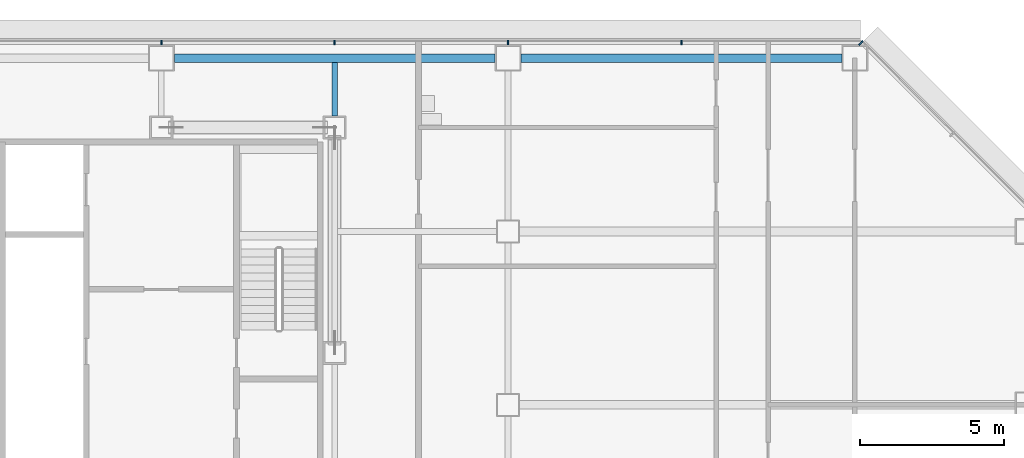
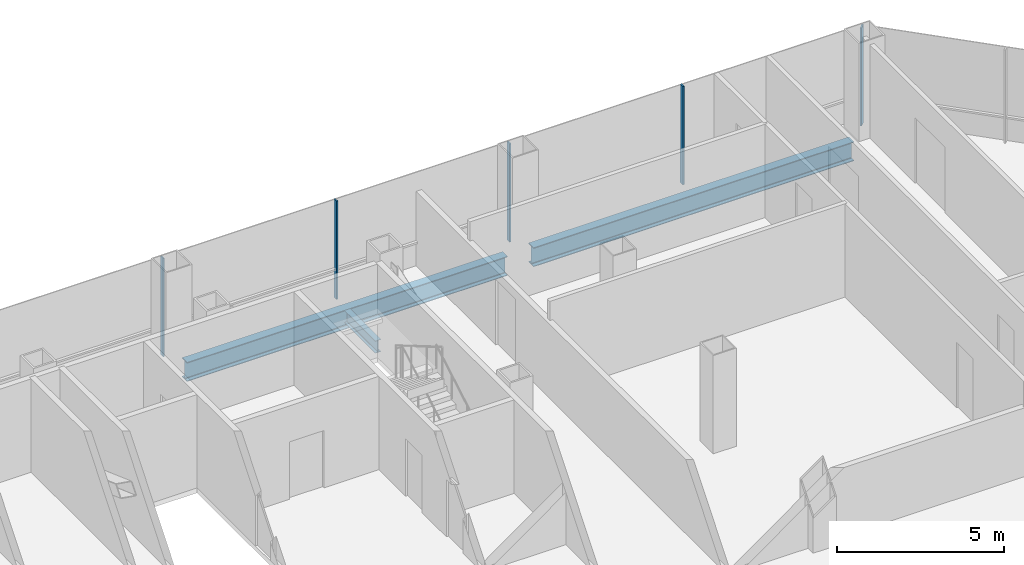
# One storey, part 15 of 26: 5 members, 3 beams, 2 elements without a shape of their own.
"""IFC4 building model written with IfcOpenShell, lengths in metres."""

from ifc_helpers import new_model, si_unit, direction, frame, origin, origin_2d, place, context, subcontext, project, spatial, rectangle, i_section, extrude, material, material_profile, profile_set, type_object, element, aggregate, save


model = new_model("IFC4")

# Units and contexts
model_context = context("Model", 3, precision=1e-05, world=origin(), true_north=direction((0.0, 1.0)))
body_context = subcontext(model_context, "Body", "Model", "MODEL_VIEW")
ifc_project = project(units=[si_unit("LENGTHUNIT", "METRE"), si_unit("AREAUNIT", "SQUARE_METRE"), si_unit("VOLUMEUNIT", "CUBIC_METRE"), si_unit("PLANEANGLEUNIT", "RADIAN"), si_unit("MASSUNIT", "GRAM", prefix="KILO")], contexts=[model_context])

# Site, building, storey
site_placement = place(None, origin())
site = spatial("IfcSite", under=ifc_project, at=site_placement, CompositionType="ELEMENT")
building_placement = place(site_placement, origin())
building = spatial("IfcBuilding", under=site, at=building_placement, Name="Sorahane Residences", CompositionType="ELEMENT")
storey_placement = place(building_placement, frame((0.0, 0.0, 67.800048828125)))
storey = spatial("IfcBuildingStorey", under=building, at=storey_placement, Name="L13", CompositionType="ELEMENT", Elevation=67.800048828125)

# Curtain wall, members
ifc_material_1 = material(Name="Dark low-e glass and black anodised aluminium", Category="aluminium")
curtain_wall_type_1 = type_object("IfcCurtainWallType", Name="Curtain wall CW-1 Typical unitised wall", PredefinedType="NOTDEFINED", material=ifc_material_1)
curtain_wall_1_placement = place(storey_placement, origin())
curtain_wall_1 = element("IfcCurtainWall", 1, at=curtain_wall_1_placement, inside=storey, type_object=curtain_wall_type_1, Name="CW-1 curtain wall L13 N1", PredefinedType="NOTDEFINED")
ifc_material_2 = material(Name="Black anodised aluminium", Category="aluminium")
ifc_material_profile_1 = material_profile(ifc_material_2, rectangle(XDim=0.159912109375, YDim=0.050048828125, at=origin_2d()), Name="Curtain wall mullion CW-1 black anodised aluminium 50x160")
ifc_profile_set_1 = profile_set([ifc_material_profile_1], Name="Black anodised aluminium")
member_type_1 = type_object("IfcMemberType", Name="Curtain wall mullion CW-1 black anodised aluminium 50x160", PredefinedType="MULLION", material=ifc_profile_set_1)
member_1_placement = place(storey_placement, frame((54.0, 48.5400390625, -0.179931640625), z_axis=(0.0, 0.0, 1.0), x_axis=(0.0, 1.0, 0.0)))
member_1 = element("IfcMember", 2, at=member_1_placement, type_object=member_type_1, Name="CW-1 mullion L13 N1.2", PredefinedType="MULLION", context=body_context, shape_type="SweptSolid", body=[
    extrude(rectangle(XDim=0.159912109375, YDim=0.050048828125, at=origin_2d()), origin(), (0.0, 0.0, 1.0), 3.599853515625),
])
member_2_placement = place(storey_placement, frame((48.0, 48.5400390625, -0.179931640625), z_axis=(0.0, 0.0, 1.0), x_axis=(0.0, 1.0, 0.0)))
member_2 = element("IfcMember", 3, at=member_2_placement, type_object=member_type_1, Name="CW-1 mullion L13 N1.3", PredefinedType="MULLION", context=body_context, shape_type="SweptSolid", body=[
    extrude(rectangle(XDim=0.159912109375, YDim=0.050048828125, at=origin_2d()), origin(), (0.0, 0.0, 1.0), 3.599853515625),
])
member_3_placement = place(storey_placement, frame((42.0, 48.5400390625, -0.179931640625), z_axis=(0.0, 0.0, 1.0), x_axis=(0.0, 1.0, 0.0)))
member_3 = element("IfcMember", 4, at=member_3_placement, type_object=member_type_1, Name="CW-1 mullion L13 N1.4", PredefinedType="MULLION", context=body_context, shape_type="SweptSolid", body=[
    extrude(rectangle(XDim=0.159912109375, YDim=0.050048828125, at=origin_2d()), origin(), (0.0, 0.0, 1.0), 3.599853515625),
])
member_4_placement = place(storey_placement, frame((36.0, 48.5400390625, -0.179931640625), z_axis=(0.0, 0.0, 1.0), x_axis=(0.0, 1.0, 0.0)))
member_4 = element("IfcMember", 5, at=member_4_placement, type_object=member_type_1, Name="CW-1 mullion L13 N1.5", PredefinedType="MULLION", context=body_context, shape_type="SweptSolid", body=[
    extrude(rectangle(XDim=0.159912109375, YDim=0.050048828125, at=origin_2d()), origin(), (0.0, 0.0, 1.0), 3.599853515625),
])
aggregate(curtain_wall_1, [member_1, member_2, member_3, member_4])

# Curtain wall, member
ifc_material_3 = material(Name="Dark low-e glass and black anodised aluminium", Category="aluminium")
curtain_wall_type_2 = type_object("IfcCurtainWallType", Name="Curtain wall CW-2 Chamfer unitised wall", PredefinedType="NOTDEFINED", material=ifc_material_3)
curtain_wall_2_placement = place(storey_placement, origin())
curtain_wall_2 = element("IfcCurtainWall", 6, at=curtain_wall_2_placement, inside=storey, type_object=curtain_wall_type_2, Name="CW-2 curtain wall L13 NE1", PredefinedType="NOTDEFINED")
ifc_material_4 = material(Name="Black anodised aluminium", Category="aluminium")
ifc_material_profile_2 = material_profile(ifc_material_4, rectangle(XDim=0.199951171875, YDim=0.050048828125, at=origin_2d()), Name="Curtain wall mullion CW-2 black anodised aluminium 50x200")
ifc_profile_set_2 = profile_set([ifc_material_profile_2], Name="Black anodised aluminium")
member_type_2 = type_object("IfcMemberType", Name="Curtain wall mullion CW-2 black anodised aluminium 50x200", PredefinedType="MULLION", material=ifc_profile_set_2)
member_5_placement = place(storey_placement, frame((60.209716796875, 48.525634765625, -0.179931640625), z_axis=(0.0, 0.0, 1.0), x_axis=(0.707106781187, 0.707106781187, 0.0)))
member_5 = element("IfcMember", 7, at=member_5_placement, type_object=member_type_2, Name="CW-2 mullion L13 NE1.3", PredefinedType="MULLION", context=body_context, shape_type="SweptSolid", body=[
    extrude(rectangle(XDim=0.199951171875, YDim=0.050048828125, at=origin_2d()), origin(), (0.0, 0.0, 1.0), 3.599853515625),
])
aggregate(curtain_wall_2, [member_5])

# Beams
ifc_material_5 = material(Name="Steel Q355B", Category="steel")
ifc_material_profile_3 = material_profile(ifc_material_5, i_section(OverallWidth=0.199951171875, OverallDepth=0.449951171875, WebThickness=0.009033203125, FlangeThickness=0.013916015625, FilletRadius=0.02001953125, at=origin_2d()), Name="HN 450x200x9x14")
ifc_profile_set_3 = profile_set([ifc_material_profile_3], Name="Steel Q355B")
beam_type_1 = type_object("IfcBeamType", Name="Steel floor beam HN 450x200x9x14 Q355B", PredefinedType="BEAM", material=ifc_profile_set_3)
beam_placement = place(storey_placement, frame((42.0, 46.0, -0.405029296875), z_axis=(0.0, 1.0, 0.0), x_axis=(-1.0, 0.0, 0.0)))
element("IfcBeam", 8, at=beam_placement, inside=storey, type_object=beam_type_1, Name="Beam L13 050", PredefinedType="BEAM", context=body_context, shape_type="SweptSolid", body=[
    extrude(i_section(OverallWidth=0.199951171875, OverallDepth=0.449951171875, WebThickness=0.009033203125, FlangeThickness=0.013916015625, FilletRadius=0.02001953125, at=origin_2d()), origin(), (0.0, 0.0, 1.0), 1.85009765625),
])
ifc_material_6 = material(Name="Steel Q355B", Category="steel")
ifc_material_profile_4 = material_profile(ifc_material_6, i_section(OverallWidth=0.300048828125, OverallDepth=0.699951171875, WebThickness=0.012939453125, FlangeThickness=0.02392578125, FilletRadius=0.028076171875, at=origin_2d()), Name="HN 700x300x13x24")
ifc_profile_set_4 = profile_set([ifc_material_profile_4], Name="Steel Q355B")
beam_type_2 = type_object("IfcBeamType", Name="Steel floor beam HN 700x300x13x24 Q355B", PredefinedType="BEAM", material=ifc_profile_set_4)
for number, where, z_axis, x_axis, name in (
    (9, (36.449951171875, 48.0, -0.530029296875), (1.0, 0.0, 0.0), (0.0, 1.0, 0.0), "Beam L13 015"),
    (10, (48.449951171875, 48.0, -0.530029296875), (1.0, 0.0, 0.0), (0.0, 1.0, 0.0), "Beam L13 016"),
):
    element("IfcBeam", number, at=place(storey_placement, frame(where, z_axis=z_axis, x_axis=x_axis)), inside=storey, type_object=beam_type_2, Name=name, PredefinedType="BEAM", context=body_context, shape_type="SweptSolid", body=[
        extrude(i_section(OverallWidth=0.300048828125, OverallDepth=0.699951171875, WebThickness=0.012939453125, FlangeThickness=0.02392578125, FilletRadius=0.028076171875, at=origin_2d()), origin(), (0.0, 0.0, 1.0), 11.10009765625),
    ])

save(model, "model.ifc")
